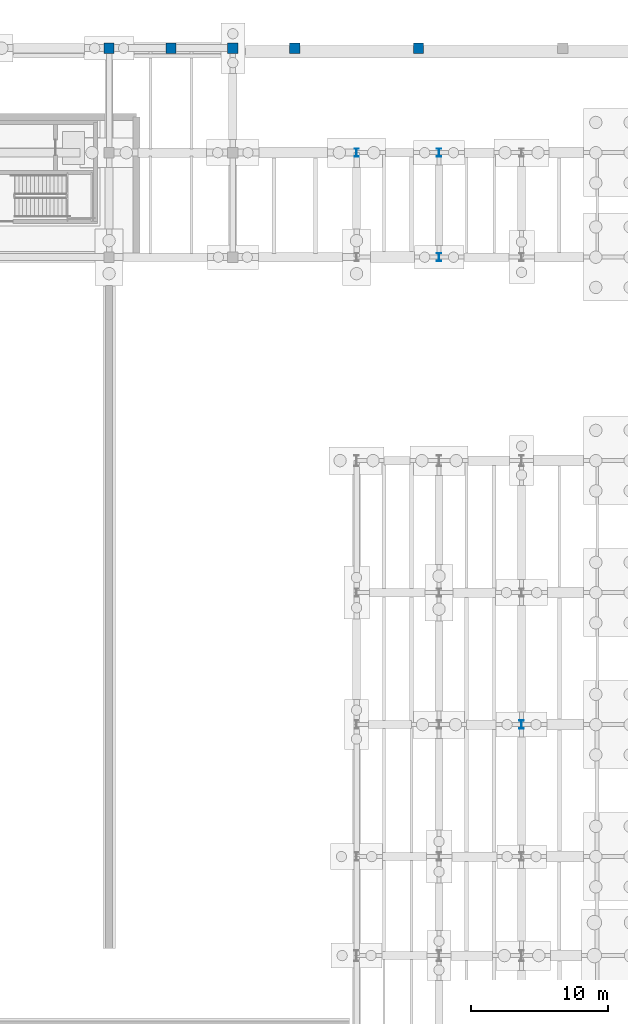
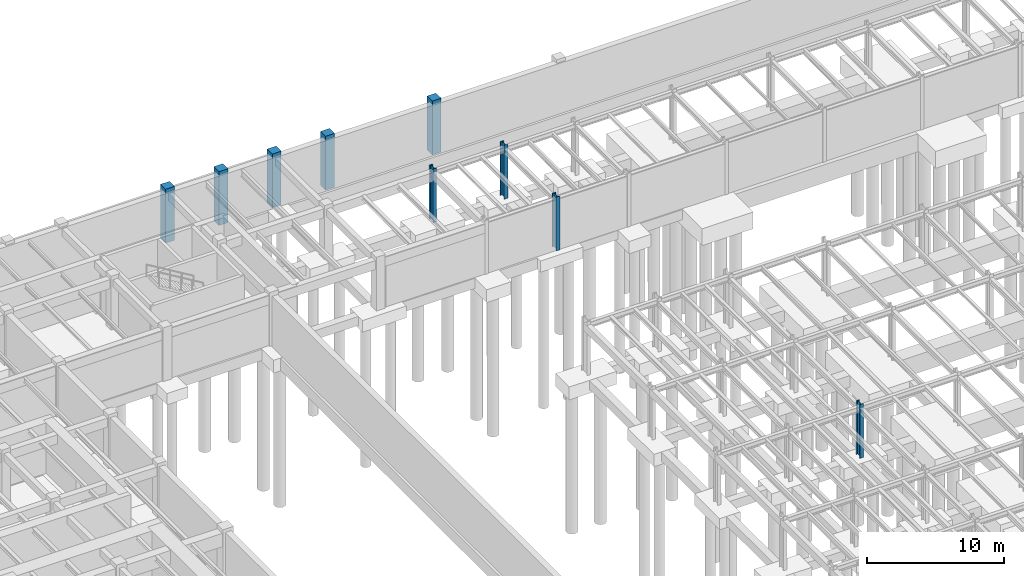
# One storey, part 23 of 59: 9 columns.
"""IFC4 building model written with IfcOpenShell, lengths in metres."""

from ifc_helpers import new_model, si_unit, direction, frame, origin, origin_2d, place, context, subcontext, project, spatial, rectangle, i_section, extrude, material, material_profile, profile_set, type_object, element, save


model = new_model("IFC4")

# Units and contexts
model_context = context("Model", 3, precision=1e-05, world=origin(), true_north=direction((0.0, 1.0)))
body_context = subcontext(model_context, "Body", "Model", "MODEL_VIEW")
ifc_project = project(units=[si_unit("LENGTHUNIT", "METRE"), si_unit("AREAUNIT", "SQUARE_METRE"), si_unit("VOLUMEUNIT", "CUBIC_METRE"), si_unit("PLANEANGLEUNIT", "RADIAN"), si_unit("MASSUNIT", "GRAM", prefix="KILO")], contexts=[model_context])

# Site, building, storey
site_placement = place(None, origin())
site = spatial("IfcSite", under=ifc_project, at=site_placement, CompositionType="ELEMENT")
building_placement = place(site_placement, origin())
building = spatial("IfcBuilding", under=site, at=building_placement, Name="Montealbar Specialist Clinic", CompositionType="ELEMENT")
storey_placement = place(building_placement, frame((0.0, 0.0, -4.800048828125)))
storey = spatial("IfcBuildingStorey", under=building, at=storey_placement, Name="B01", CompositionType="ELEMENT", Elevation=-4.800048828125)

# Columns
ifc_material_1 = material(Name="Concrete C35/45", Category="concrete")
ifc_material_profile_1 = material_profile(ifc_material_1, rectangle(XDim=0.75, YDim=0.75, at=origin_2d()), Name="RC 750x750", Category="concrete")
ifc_profile_set_1 = profile_set([ifc_material_profile_1], Name="Concrete C35/45")
column_type_1 = type_object("IfcColumnType", Name="COL-RC-B01-EXT", PredefinedType="COLUMN", material=ifc_profile_set_1)
for number, where, z_axis, x_axis, name in (
    (1, (36.0, 111.0, 0.0), (0.0, 0.0, 1.0), (1.0, 0.0, 0.0), "Column 5/P B01"),
    (2, (45.0, 111.0, 0.0), (0.0, 0.0, 1.0), (1.0, 0.0, 0.0), "Column 6/P B01"),
):
    element("IfcColumn", number, at=place(storey_placement, frame(where, z_axis=z_axis, x_axis=x_axis)), inside=storey, type_object=column_type_1, Name=name, PredefinedType="COLUMN", context=body_context, shape_type="SweptSolid", body=[
        extrude(rectangle(XDim=0.75, YDim=0.75, at=origin_2d()), origin(), (0.0, 0.0, 1.0), 4.800048828125),
    ])
ifc_material_2 = material(Name="Steel S355", Category="steel")
ifc_material_profile_2 = material_profile(ifc_material_2, i_section(OverallWidth=0.300048828125, OverallDepth=0.60009765625, WebThickness=0.015380859375, FlangeThickness=0.030029296875, FilletRadius=0.027099609375, at=origin_2d()), Name="HEB 600", Category="steel")
ifc_profile_set_2 = profile_set([ifc_material_profile_2], Name="Steel S355")
column_type_2 = type_object("IfcColumnType", Name="COL-S-B01-STD-EXT", PredefinedType="COLUMN", material=ifc_profile_set_2)
for number, where, z_axis, x_axis, name in (
    (3, (54.0, 103.39990234375, 0.0), (0.0, 0.0, 1.0), (1.0, 0.0, 0.0), "Column 7/N B01"),
    (4, (60.0, 95.800048828125, 0.0), (0.0, 0.0, 1.0), (1.0, 0.0, 0.0), "Column 8/M B01"),
    (5, (60.0, 103.39990234375, 0.0), (0.0, 0.0, 1.0), (1.0, 0.0, 0.0), "Column 8/N B01"),
    (6, (66.0, 61.800048828125, 0.0), (0.0, 0.0, 1.0), (1.0, 0.0, 0.0), "Column 9/H B01"),
):
    element("IfcColumn", number, at=place(storey_placement, frame(where, z_axis=z_axis, x_axis=x_axis)), inside=storey, type_object=column_type_2, Name=name, PredefinedType="COLUMN", context=body_context, shape_type="SweptSolid", body=[
        extrude(i_section(OverallWidth=0.300048828125, OverallDepth=0.60009765625, WebThickness=0.015380859375, FlangeThickness=0.030029296875, FilletRadius=0.027099609375, at=origin_2d()), origin(), (0.0, 0.0, 1.0), 4.800048828125),
    ])
ifc_material_3 = material(Name="Guadarrama granite ashlar", Category="masonry")
ifc_material_profile_3 = material_profile(ifc_material_3, rectangle(XDim=0.75, YDim=0.75, at=origin_2d()), Name="GRANITE PILASTER 750x750", Category="masonry")
ifc_profile_set_3 = profile_set([ifc_material_profile_3], Name="Guadarrama granite ashlar")
column_type_3 = type_object("IfcColumnType", Name="PIL-PM-GIANT-INT", PredefinedType="PILASTER", material=ifc_profile_set_3)
for number, where, z_axis, x_axis, name in (
    (7, (40.5, 111.0, 0.0), (0.0, 0.0, 1.0), (1.0, 0.0, 0.0), "Column NP3/P B01"),
    (8, (49.5, 111.0, 0.0), (0.0, 0.0, 1.0), (1.0, 0.0, 0.0), "Column NP4/P B01"),
    (9, (58.5, 111.0, 0.0), (0.0, 0.0, 1.0), (1.0, 0.0, 0.0), "Column NP5/P B01"),
):
    element("IfcColumn", number, at=place(storey_placement, frame(where, z_axis=z_axis, x_axis=x_axis)), inside=storey, type_object=column_type_3, Name=name, PredefinedType="PILASTER", context=body_context, shape_type="SweptSolid", body=[
        extrude(rectangle(XDim=0.75, YDim=0.75, at=origin_2d()), origin(), (0.0, 0.0, 1.0), 4.800048828125),
    ])

save(model, "model.ifc")
